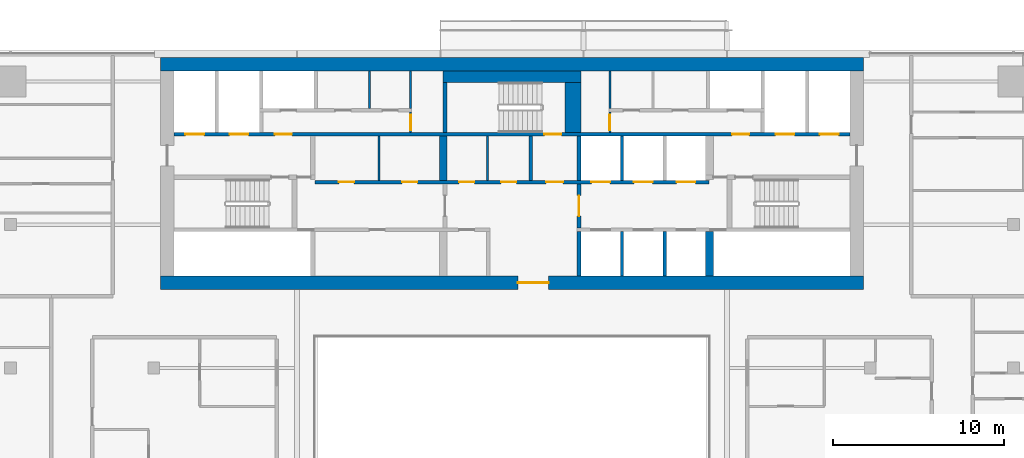
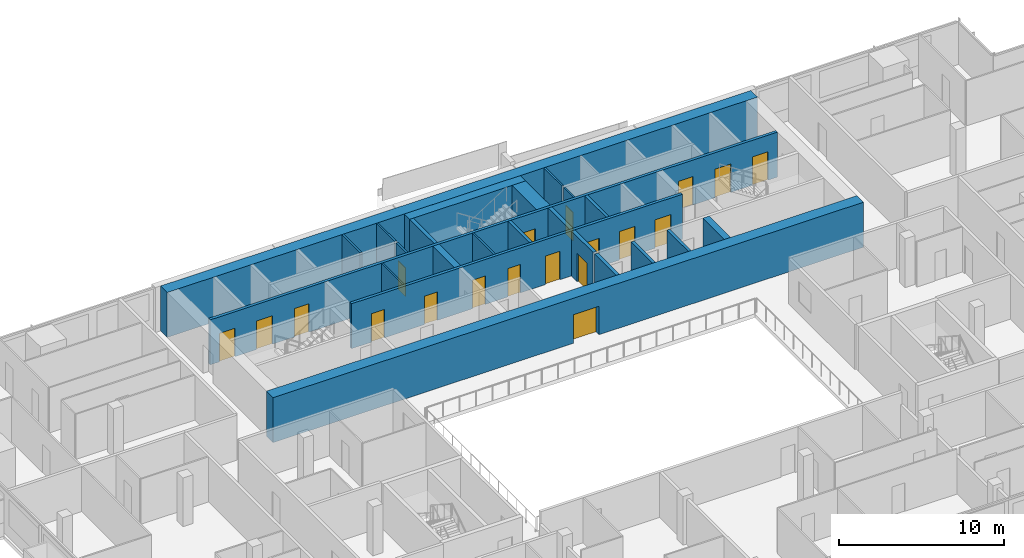
# One storey, part 22 of 28: 23 walls, 19 doors, 19 openings.
"""IFC4 building model written with IfcOpenShell, lengths in metres."""

from ifc_helpers import new_model, si_unit, direction, frame, frame_2d, origin, place, context, subcontext, project, spatial, rectangle, extrude, material, layer, layer_set, type_object, element, fill, save


model = new_model("IFC4")

# Units and contexts
model_context = context("Model", 3, precision=1e-05, world=origin(), true_north=direction((0.0, 1.0)))
body_context = subcontext(model_context, "Body", "Model", "MODEL_VIEW")
ifc_project = project(units=[si_unit("LENGTHUNIT", "METRE"), si_unit("AREAUNIT", "SQUARE_METRE"), si_unit("VOLUMEUNIT", "CUBIC_METRE"), si_unit("PLANEANGLEUNIT", "RADIAN"), si_unit("MASSUNIT", "GRAM", prefix="KILO")], contexts=[model_context])

# Site, building, storey
site_placement = place(None, origin())
site = spatial("IfcSite", under=ifc_project, at=site_placement, CompositionType="ELEMENT")
building_placement = place(site_placement, origin())
building = spatial("IfcBuilding", under=site, at=building_placement, Name="Saffron Gate Tower", CompositionType="ELEMENT")
storey_placement = place(building_placement, frame((0.0, 0.0, 151.050048828125)))
storey = spatial("IfcBuildingStorey", under=building, at=storey_placement, Name="L36", CompositionType="ELEMENT", Elevation=151.050048828125)

# Wall
ifc_material_1 = material(Name="Gypsum board partition on steel studs", Category="steel")
ifc_layer_1 = layer(ifc_material_1, 0.199951171875)
ifc_layer_set_1 = layer_set([ifc_layer_1], Name="CW10 Core partition 200")
wall_type_1 = type_object("IfcWallType", Name="CW10 Core partition 200", PredefinedType="PARTITIONING", material=ifc_layer_set_1)
wall_1_placement = place(storey_placement, frame((88.699951171875, 68.0, 0.0), z_axis=(0.0, 0.0, 1.0), x_axis=(0.0, 1.0, 0.0)))
element("IfcWall", 1, at=wall_1_placement, inside=storey, type_object=wall_type_1, Name="Wall CW10-L36-22", PredefinedType="PARTITIONING", context=body_context, shape_type="SweptSolid", body=[
    extrude(rectangle(XDim=2.60009765625, YDim=0.199951171875, at=frame_2d((1.300048828125, 0.0))), origin(), (0.0, 0.0, 1.0), 3.320068359375),
])

# Wall, opening, door
ifc_material_2 = material(Name="Concrete C60", Category="concrete")
ifc_layer_2 = layer(ifc_material_2, 0.800048828125)
ifc_layer_set_2 = layer_set([ifc_layer_2], Name="CW13 RC core wall 800 C60")
wall_type_2 = type_object("IfcWallType", Name="CW13 RC core wall 800 C60", PredefinedType="SOLIDWALL", material=ifc_layer_set_2)
wall_2_placement = place(storey_placement, frame((67.0, 62.0, 0.0), z_axis=(0.0, 0.0, 1.0), x_axis=(1.0, 0.0, 0.0)))
wall_2 = element("IfcWall", 2, at=wall_2_placement, inside=storey, type_object=wall_type_2, Name="Wall CW13-L36-1", PredefinedType="SOLIDWALL", context=body_context, shape_type="SweptSolid", body=[
    extrude(rectangle(XDim=41.199951171875, YDim=0.800048828125, at=frame_2d((20.60009765625, 0.0))), origin(), (0.0, 0.0, 1.0), 3.320068359375),
])
opening_1_placement = place(wall_2_placement, frame((20.949951171875, 0.0, 0.0)))
opening_1 = element("IfcOpeningElement", 3, at=opening_1_placement, cuts=wall_2, Name="Opening CR-09", PredefinedType="OPENING", context=body_context, shape_type="SweptSolid", body=[
    extrude(rectangle(XDim=1.800048828125, YDim=2.10009765625, at=frame_2d((0.89990234375, 1.050048828125))), frame((0.0, 0.41015625, 0.0), z_axis=(0.0, -1.0, 0.0), x_axis=(1.0, 0.0, 0.0)), (0.0, 0.0, 1.0), 0.820068359375),
])
ifc_material_3 = material(Name="Steel fire door set", Category="steel")
door_type_1 = type_object("IfcDoorType", Name="CD1 Core entrance door 1800x2100 EI 120", OperationType="NOTDEFINED", PredefinedType="DOOR", material=ifc_material_3)
door_1_placement = place(opening_1_placement, origin())
door_1 = element("IfcDoor", 4, at=door_1_placement, inside=storey, type_object=door_type_1, Name="DOOR CR-09", OperationType="DOUBLE_DOOR_SINGLE_SWING", OverallHeight=2.10009765625, OverallWidth=1.800048828125, PredefinedType="DOOR", context=body_context, shape_type="SweptSolid", body=[
    extrude(rectangle(XDim=1.800048828125, YDim=2.10009765625, at=frame_2d((0.89990234375, 1.050048828125))), frame((0.0, 0.02490234375, 0.0), z_axis=(0.0, -1.0, 0.0), x_axis=(1.0, 0.0, 0.0)), (0.0, 0.0, 1.0), 0.050048828125),
])
fill(opening_1, door_1)

# Walls
wall_3_placement = place(storey_placement, frame((67.0, 74.800048828125, 0.0), z_axis=(0.0, 0.0, 1.0), x_axis=(1.0, 0.0, 0.0)))
element("IfcWall", 5, at=wall_3_placement, inside=storey, type_object=wall_type_2, Name="Wall CW13-L36-2", PredefinedType="SOLIDWALL", context=body_context, shape_type="SweptSolid", body=[
    extrude(rectangle(XDim=41.199951171875, YDim=0.800048828125, at=frame_2d((20.60009765625, 0.0))), origin(), (0.0, 0.0, 1.0), 3.320068359375),
])
ifc_layer_3 = layer(ifc_material_2, 0.25)
ifc_layer_set_3 = layer_set([ifc_layer_3], Name="CW14 RC core wall 250 C60")
wall_type_3 = type_object("IfcWallType", Name="CW14 RC core wall 250 C60", PredefinedType="SOLIDWALL", material=ifc_layer_set_3)
wall_4_placement = place(storey_placement, frame((91.52490234375, 62.39990234375, 0.0), z_axis=(0.0, 0.0, 1.0), x_axis=(0.0, 1.0, 0.0)))
element("IfcWall", 6, at=wall_4_placement, inside=storey, type_object=wall_type_3, Name="Wall CW14-L36-8", PredefinedType="SOLIDWALL", context=body_context, shape_type="SweptSolid", body=[
    extrude(rectangle(XDim=2.60009765625, YDim=0.25, at=frame_2d((1.300048828125, 0.0))), origin(), (0.0, 0.0, 1.0), 3.320068359375),
])

# Wall, opening, door
wall_5_placement = place(storey_placement, frame((91.52490234375, 65.199951171875, 0.0), z_axis=(0.0, 0.0, 1.0), x_axis=(0.0, 1.0, 0.0)))
wall_5 = element("IfcWall", 7, at=wall_5_placement, inside=storey, type_object=wall_type_3, Name="Wall CW14-L36-16", PredefinedType="SOLIDWALL", context=body_context, shape_type="SweptSolid", body=[
    extrude(rectangle(XDim=2.60009765625, YDim=0.25, at=frame_2d((1.300048828125, 0.0))), origin(), (0.0, 0.0, 1.0), 3.320068359375),
])
opening_2_placement = place(wall_5_placement, frame((0.699951171875, 0.0, 0.0)))
opening_2 = element("IfcOpeningElement", 8, at=opening_2_placement, cuts=wall_5, Name="Opening CR-01", PredefinedType="OPENING", context=body_context, shape_type="SweptSolid", body=[
    extrude(rectangle(XDim=1.199951171875, YDim=2.10009765625, at=frame_2d((0.60009765625, 1.050048828125))), frame((0.0, 0.135009765625, 0.0), z_axis=(0.0, -1.0, 0.0), x_axis=(1.0, 0.0, 0.0)), (0.0, 0.0, 1.0), 0.27001953125),
])
door_type_2 = type_object("IfcDoorType", Name="CD3 Lobby door 1200x2100 EI 120", OperationType="NOTDEFINED", PredefinedType="DOOR", material=ifc_material_3)
door_2_placement = place(opening_2_placement, origin())
door_2 = element("IfcDoor", 9, at=door_2_placement, inside=storey, type_object=door_type_2, Name="DOOR CR-01", OperationType="SINGLE_SWING_RIGHT", OverallHeight=2.10009765625, OverallWidth=1.199951171875, PredefinedType="DOOR", context=body_context, shape_type="SweptSolid", body=[
    extrude(rectangle(XDim=1.199951171875, YDim=2.10009765625, at=frame_2d((0.60009765625, 1.050048828125))), frame((0.0, 0.02490234375, 0.0), z_axis=(0.0, -1.0, 0.0), x_axis=(1.0, 0.0, 0.0)), (0.0, 0.0, 1.0), 0.050048828125),
])
fill(opening_2, door_2)

# Walls
wall_6_placement = place(storey_placement, frame((91.52490234375, 68.0, 0.0), z_axis=(0.0, 0.0, 1.0), x_axis=(0.0, 1.0, 0.0)))
element("IfcWall", 10, at=wall_6_placement, inside=storey, type_object=wall_type_3, Name="Wall CW14-L36-23", PredefinedType="SOLIDWALL", context=body_context, shape_type="SweptSolid", body=[
    extrude(rectangle(XDim=2.60009765625, YDim=0.25, at=frame_2d((1.300048828125, 0.0))), origin(), (0.0, 0.0, 1.0), 3.320068359375),
])
wall_7_placement = place(storey_placement, frame((83.675048828125, 70.800048828125, 0.0), z_axis=(0.0, 0.0, 1.0), x_axis=(0.0, 1.0, 0.0)))
element("IfcWall", 11, at=wall_7_placement, inside=storey, type_object=wall_type_3, Name="Wall CW14-L36-35", PredefinedType="SOLIDWALL", context=body_context, shape_type="SweptSolid", body=[
    extrude(rectangle(XDim=2.949951171875, YDim=0.25, at=frame_2d((1.47509765625, 0.0))), origin(), (0.0, 0.0, 1.0), 3.320068359375),
])
ifc_layer_4 = layer(ifc_material_2, 0.199951171875)
ifc_layer_set_4 = layer_set([ifc_layer_4], Name="CW15 RC core wall 200 C60")
wall_type_4 = type_object("IfcWallType", Name="CW15 RC core wall 200 C60", PredefinedType="SOLIDWALL", material=ifc_layer_set_4)
for number, where, z_axis, x_axis, name in (
    (12, (94.050048828125, 62.39990234375, 0.0), (0.0, 0.0, 1.0), (0.0, 1.0, 0.0), "Wall CW15-L36-9"),
    (13, (96.550048828125, 62.39990234375, 0.0), (0.0, 0.0, 1.0), (0.0, 1.0, 0.0), "Wall CW15-L36-10"),
):
    element("IfcWall", number, at=place(storey_placement, frame(where, z_axis=z_axis, x_axis=x_axis)), inside=storey, type_object=wall_type_4, Name=name, PredefinedType="SOLIDWALL", context=body_context, shape_type="SweptSolid", body=[
        extrude(rectangle(XDim=2.60009765625, YDim=0.199951171875, at=frame_2d((1.300048828125, 0.0))), origin(), (0.0, 0.0, 1.0), 3.320068359375),
    ])

# Wall, openings, doors
wall_8_placement = place(storey_placement, frame((76.050048828125, 67.89990234375, 0.0), z_axis=(0.0, 0.0, 1.0), x_axis=(1.0, 0.0, 0.0)))
wall_8 = element("IfcWall", 14, at=wall_8_placement, inside=storey, type_object=wall_type_4, Name="Wall CW15-L36-18", PredefinedType="SOLIDWALL", context=body_context, shape_type="SweptSolid", body=[
    extrude(rectangle(XDim=23.099853515625, YDim=0.199951171875, at=frame_2d((11.5498046875, 0.0))), origin(), (0.0, 0.0, 1.0), 3.320068359375),
])
opening_3_placement = place(wall_8_placement, frame((1.39990234375, 0.0, 0.0)))
opening_3 = element("IfcOpeningElement", 15, at=opening_3_placement, cuts=wall_8, Name="Opening CR-61", PredefinedType="OPENING", context=body_context, shape_type="SweptSolid", body=[
    extrude(rectangle(XDim=0.89990234375, YDim=2.10009765625, at=frame_2d((0.449951171875, 1.050048828125))), frame((0.0, 0.10986328125, 0.0), z_axis=(0.0, -1.0, 0.0), x_axis=(1.0, 0.0, 0.0)), (0.0, 0.0, 1.0), 0.219970703125),
])
opening_4_placement = place(wall_8_placement, frame((5.110107421875, 0.0, 0.0)))
opening_4 = element("IfcOpeningElement", 16, at=opening_4_placement, cuts=wall_8, Name="Opening CR-62", PredefinedType="OPENING", context=body_context, shape_type="SweptSolid", body=[
    extrude(rectangle(XDim=0.89990234375, YDim=2.10009765625, at=frame_2d((0.449951171875, 1.050048828125))), frame((0.0, 0.10986328125, 0.0), z_axis=(0.0, -1.0, 0.0), x_axis=(1.0, 0.0, 0.0)), (0.0, 0.0, 1.0), 0.219970703125),
])
opening_5_placement = place(wall_8_placement, frame((8.449951171875, 0.0, 0.0)))
opening_5 = element("IfcOpeningElement", 17, at=opening_5_placement, cuts=wall_8, Name="Opening CR-67", PredefinedType="OPENING", context=body_context, shape_type="SweptSolid", body=[
    extrude(rectangle(XDim=0.89990234375, YDim=2.10009765625, at=frame_2d((0.449951171875, 1.050048828125))), frame((0.0, 0.10986328125, 0.0), z_axis=(0.0, -1.0, 0.0), x_axis=(1.0, 0.0, 0.0)), (0.0, 0.0, 1.0), 0.219970703125),
])
opening_6_placement = place(wall_8_placement, frame((10.909912109375, 0.0, 0.0)))
opening_6 = element("IfcOpeningElement", 18, at=opening_6_placement, cuts=wall_8, Name="Opening CR-68", PredefinedType="OPENING", context=body_context, shape_type="SweptSolid", body=[
    extrude(rectangle(XDim=0.89990234375, YDim=2.10009765625, at=frame_2d((0.449951171875, 1.050048828125))), frame((0.0, 0.10986328125, 0.0), z_axis=(0.0, -1.0, 0.0), x_axis=(1.0, 0.0, 0.0)), (0.0, 0.0, 1.0), 0.219970703125),
])
opening_7_placement = place(wall_8_placement, frame((13.550048828125, 0.0, 0.0)))
opening_7 = element("IfcOpeningElement", 19, at=opening_7_placement, cuts=wall_8, Name="Opening CR-02", PredefinedType="OPENING", context=body_context, shape_type="SweptSolid", body=[
    extrude(rectangle(XDim=1.0, YDim=2.10009765625, at=frame_2d((0.5, 1.050048828125))), frame((0.0, 0.10986328125, 0.0), z_axis=(0.0, -1.0, 0.0), x_axis=(1.0, 0.0, 0.0)), (0.0, 0.0, 1.0), 0.219970703125),
])
opening_8_placement = place(wall_8_placement, frame((16.199951171875, 0.0, 0.0)))
opening_8 = element("IfcOpeningElement", 20, at=opening_8_placement, cuts=wall_8, Name="Opening LD-HR4", PredefinedType="OPENING", context=body_context, shape_type="SweptSolid", body=[
    extrude(rectangle(XDim=1.10009765625, YDim=2.10009765625, at=frame_2d((0.550048828125, 1.050048828125))), frame((0.0, 0.10986328125, 0.0), z_axis=(0.0, -1.0, 0.0), x_axis=(1.0, 0.0, 0.0)), (0.0, 0.0, 1.0), 0.219970703125),
])
opening_9_placement = place(wall_8_placement, frame((18.699951171875, 0.0, 0.0)))
opening_9 = element("IfcOpeningElement", 21, at=opening_9_placement, cuts=wall_8, Name="Opening LD-HR5", PredefinedType="OPENING", context=body_context, shape_type="SweptSolid", body=[
    extrude(rectangle(XDim=1.10009765625, YDim=2.10009765625, at=frame_2d((0.550048828125, 1.050048828125))), frame((0.0, 0.10986328125, 0.0), z_axis=(0.0, -1.0, 0.0), x_axis=(1.0, 0.0, 0.0)), (0.0, 0.0, 1.0), 0.219970703125),
])
opening_10_placement = place(wall_8_placement, frame((21.199951171875, 0.0, 0.0)))
opening_10 = element("IfcOpeningElement", 22, at=opening_10_placement, cuts=wall_8, Name="Opening LD-HR6", PredefinedType="OPENING", context=body_context, shape_type="SweptSolid", body=[
    extrude(rectangle(XDim=1.10009765625, YDim=2.10009765625, at=frame_2d((0.550048828125, 1.050048828125))), frame((0.0, 0.10986328125, 0.0), z_axis=(0.0, -1.0, 0.0), x_axis=(1.0, 0.0, 0.0)), (0.0, 0.0, 1.0), 0.219970703125),
])
door_type_3 = type_object("IfcDoorType", Name="CD4 Lobby door 1000x2100 EI 120", OperationType="NOTDEFINED", PredefinedType="DOOR", material=ifc_material_3)
door_3_placement = place(opening_7_placement, origin())
door_3 = element("IfcDoor", 23, at=door_3_placement, inside=storey, type_object=door_type_3, Name="DOOR CR-02", OperationType="SINGLE_SWING_LEFT", OverallHeight=2.10009765625, OverallWidth=1.0, PredefinedType="DOOR", context=body_context, shape_type="SweptSolid", body=[
    extrude(rectangle(XDim=1.0, YDim=2.10009765625, at=frame_2d((0.5, 1.050048828125))), frame((0.0, 0.02490234375, 0.0), z_axis=(0.0, -1.0, 0.0), x_axis=(1.0, 0.0, 0.0)), (0.0, 0.0, 1.0), 0.050048828125),
])
fill(opening_7, door_3)
door_type_4 = type_object("IfcDoorType", Name="CD9 Room door 900x2100 EI 60", OperationType="NOTDEFINED", PredefinedType="DOOR", material=ifc_material_3)
door_4_placement = place(opening_3_placement, origin())
door_4 = element("IfcDoor", 24, at=door_4_placement, inside=storey, type_object=door_type_4, Name="DOOR CR-61", OperationType="SINGLE_SWING_LEFT", OverallHeight=2.10009765625, OverallWidth=0.89990234375, PredefinedType="DOOR", context=body_context, shape_type="SweptSolid", body=[
    extrude(rectangle(XDim=0.89990234375, YDim=2.10009765625, at=frame_2d((0.449951171875, 1.050048828125))), frame((0.0, 0.02490234375, 0.0), z_axis=(0.0, -1.0, 0.0), x_axis=(1.0, 0.0, 0.0)), (0.0, 0.0, 1.0), 0.050048828125),
])
fill(opening_3, door_4)
door_5_placement = place(opening_4_placement, origin())
door_5 = element("IfcDoor", 25, at=door_5_placement, inside=storey, type_object=door_type_4, Name="DOOR CR-62", OperationType="SINGLE_SWING_LEFT", OverallHeight=2.10009765625, OverallWidth=0.89990234375, PredefinedType="DOOR", context=body_context, shape_type="SweptSolid", body=[
    extrude(rectangle(XDim=0.89990234375, YDim=2.10009765625, at=frame_2d((0.449951171875, 1.050048828125))), frame((0.0, 0.02490234375, 0.0), z_axis=(0.0, -1.0, 0.0), x_axis=(1.0, 0.0, 0.0)), (0.0, 0.0, 1.0), 0.050048828125),
])
fill(opening_4, door_5)
door_6_placement = place(opening_5_placement, origin())
door_6 = element("IfcDoor", 26, at=door_6_placement, inside=storey, type_object=door_type_4, Name="DOOR CR-67", OperationType="SINGLE_SWING_LEFT", OverallHeight=2.10009765625, OverallWidth=0.89990234375, PredefinedType="DOOR", context=body_context, shape_type="SweptSolid", body=[
    extrude(rectangle(XDim=0.89990234375, YDim=2.10009765625, at=frame_2d((0.449951171875, 1.050048828125))), frame((0.0, 0.02490234375, 0.0), z_axis=(0.0, -1.0, 0.0), x_axis=(1.0, 0.0, 0.0)), (0.0, 0.0, 1.0), 0.050048828125),
])
fill(opening_5, door_6)
door_7_placement = place(opening_6_placement, origin())
door_7 = element("IfcDoor", 27, at=door_7_placement, inside=storey, type_object=door_type_4, Name="DOOR CR-68", OperationType="SINGLE_SWING_LEFT", OverallHeight=2.10009765625, OverallWidth=0.89990234375, PredefinedType="DOOR", context=body_context, shape_type="SweptSolid", body=[
    extrude(rectangle(XDim=0.89990234375, YDim=2.10009765625, at=frame_2d((0.449951171875, 1.050048828125))), frame((0.0, 0.02490234375, 0.0), z_axis=(0.0, -1.0, 0.0), x_axis=(1.0, 0.0, 0.0)), (0.0, 0.0, 1.0), 0.050048828125),
])
fill(opening_6, door_7)
ifc_material_4 = material(Name="Stainless steel landing door", Category="steel")
door_type_5 = type_object("IfcDoorType", Name="LD Lift landing door 1100x2100 EI 120", OperationType="SLIDING_TO_LEFT", PredefinedType="DOOR", material=ifc_material_4)
door_8_placement = place(opening_8_placement, origin())
door_8 = element("IfcDoor", 28, at=door_8_placement, inside=storey, type_object=door_type_5, Name="LANDING DOOR LD-HR4", OperationType="SLIDING_TO_RIGHT", OverallHeight=2.10009765625, OverallWidth=1.10009765625, PredefinedType="DOOR", context=body_context, shape_type="SweptSolid", body=[
    extrude(rectangle(XDim=1.10009765625, YDim=2.10009765625, at=frame_2d((0.550048828125, 1.050048828125))), frame((0.0, 0.02490234375, 0.0), z_axis=(0.0, -1.0, 0.0), x_axis=(1.0, 0.0, 0.0)), (0.0, 0.0, 1.0), 0.050048828125),
])
fill(opening_8, door_8)
door_9_placement = place(opening_9_placement, origin())
door_9 = element("IfcDoor", 29, at=door_9_placement, inside=storey, type_object=door_type_5, Name="LANDING DOOR LD-HR5", OperationType="SLIDING_TO_RIGHT", OverallHeight=2.10009765625, OverallWidth=1.10009765625, PredefinedType="DOOR", context=body_context, shape_type="SweptSolid", body=[
    extrude(rectangle(XDim=1.10009765625, YDim=2.10009765625, at=frame_2d((0.550048828125, 1.050048828125))), frame((0.0, 0.02490234375, 0.0), z_axis=(0.0, -1.0, 0.0), x_axis=(1.0, 0.0, 0.0)), (0.0, 0.0, 1.0), 0.050048828125),
])
fill(opening_9, door_9)
door_10_placement = place(opening_10_placement, origin())
door_10 = element("IfcDoor", 30, at=door_10_placement, inside=storey, type_object=door_type_5, Name="LANDING DOOR LD-HR6", OperationType="SLIDING_TO_RIGHT", OverallHeight=2.10009765625, OverallWidth=1.10009765625, PredefinedType="DOOR", context=body_context, shape_type="SweptSolid", body=[
    extrude(rectangle(XDim=1.10009765625, YDim=2.10009765625, at=frame_2d((0.550048828125, 1.050048828125))), frame((0.0, 0.02490234375, 0.0), z_axis=(0.0, -1.0, 0.0), x_axis=(1.0, 0.0, 0.0)), (0.0, 0.0, 1.0), 0.050048828125),
])
fill(opening_10, door_10)

# Wall
wall_9_placement = place(storey_placement, frame((94.050048828125, 68.0, 0.0), z_axis=(0.0, 0.0, 1.0), x_axis=(0.0, 1.0, 0.0)))
element("IfcWall", 31, at=wall_9_placement, inside=storey, type_object=wall_type_4, Name="Wall CW15-L36-24", PredefinedType="SOLIDWALL", context=body_context, shape_type="SweptSolid", body=[
    extrude(rectangle(XDim=2.60009765625, YDim=0.199951171875, at=frame_2d((1.300048828125, 0.0))), origin(), (0.0, 0.0, 1.0), 3.320068359375),
])

# Wall, openings, doors
wall_10_placement = place(storey_placement, frame((67.800048828125, 70.699951171875, 0.0), z_axis=(0.0, 0.0, 1.0), x_axis=(1.0, 0.0, 0.0)))
wall_10 = element("IfcWall", 32, at=wall_10_placement, inside=storey, type_object=wall_type_4, Name="Wall CW15-L36-31", PredefinedType="SOLIDWALL", context=body_context, shape_type="SweptSolid", body=[
    extrude(rectangle(XDim=39.599853515625, YDim=0.199951171875, at=frame_2d((19.7998046875, 0.0))), origin(), (0.0, 0.0, 1.0), 3.320068359375),
])
opening_11_placement = place(wall_10_placement, frame((0.64990234375, 0.0, 0.0)))
opening_11 = element("IfcOpeningElement", 33, at=opening_11_placement, cuts=wall_10, Name="Opening LD-FF1", PredefinedType="OPENING", context=body_context, shape_type="SweptSolid", body=[
    extrude(rectangle(XDim=1.10009765625, YDim=2.10009765625, at=frame_2d((0.550048828125, 1.050048828125))), frame((0.0, 0.10986328125, 0.0), z_axis=(0.0, -1.0, 0.0), x_axis=(1.0, 0.0, 0.0)), (0.0, 0.0, 1.0), 0.219970703125),
])
opening_12_placement = place(wall_10_placement, frame((3.25, 0.0, 0.0)))
opening_12 = element("IfcOpeningElement", 34, at=opening_12_placement, cuts=wall_10, Name="Opening LD-SV1", PredefinedType="OPENING", context=body_context, shape_type="SweptSolid", body=[
    extrude(rectangle(XDim=1.10009765625, YDim=2.10009765625, at=frame_2d((0.550048828125, 1.050048828125))), frame((0.0, 0.10986328125, 0.0), z_axis=(0.0, -1.0, 0.0), x_axis=(1.0, 0.0, 0.0)), (0.0, 0.0, 1.0), 0.219970703125),
])
opening_13_placement = place(wall_10_placement, frame((5.89990234375, 0.0, 0.0)))
opening_13 = element("IfcOpeningElement", 35, at=opening_13_placement, cuts=wall_10, Name="Opening CR-03", PredefinedType="OPENING", context=body_context, shape_type="SweptSolid", body=[
    extrude(rectangle(XDim=1.0, YDim=2.10009765625, at=frame_2d((0.5, 1.050048828125))), frame((0.0, 0.10986328125, 0.0), z_axis=(0.0, -1.0, 0.0), x_axis=(1.0, 0.0, 0.0)), (0.0, 0.0, 1.0), 0.219970703125),
])
opening_14_placement = place(wall_10_placement, frame((21.699951171875, 0.0, 0.0)))
opening_14 = element("IfcOpeningElement", 36, at=opening_14_placement, cuts=wall_10, Name="Opening CR-17", PredefinedType="OPENING", context=body_context, shape_type="SweptSolid", body=[
    extrude(rectangle(XDim=1.0, YDim=2.10009765625, at=frame_2d((0.5, 1.050048828125))), frame((0.0, 0.10986328125, 0.0), z_axis=(0.0, -1.0, 0.0), x_axis=(1.0, 0.0, 0.0)), (0.0, 0.0, 1.0), 0.219970703125),
])
opening_15_placement = place(wall_10_placement, frame((32.699951171875, 0.0, 0.0)))
opening_15 = element("IfcOpeningElement", 37, at=opening_15_placement, cuts=wall_10, Name="Opening CR-04", PredefinedType="OPENING", context=body_context, shape_type="SweptSolid", body=[
    extrude(rectangle(XDim=1.0, YDim=2.10009765625, at=frame_2d((0.5, 1.050048828125))), frame((0.0, 0.10986328125, 0.0), z_axis=(0.0, -1.0, 0.0), x_axis=(1.0, 0.0, 0.0)), (0.0, 0.0, 1.0), 0.219970703125),
])
opening_16_placement = place(wall_10_placement, frame((35.25, 0.0, 0.0)))
opening_16 = element("IfcOpeningElement", 38, at=opening_16_placement, cuts=wall_10, Name="Opening LD-SV2", PredefinedType="OPENING", context=body_context, shape_type="SweptSolid", body=[
    extrude(rectangle(XDim=1.10009765625, YDim=2.10009765625, at=frame_2d((0.550048828125, 1.050048828125))), frame((0.0, 0.10986328125, 0.0), z_axis=(0.0, -1.0, 0.0), x_axis=(1.0, 0.0, 0.0)), (0.0, 0.0, 1.0), 0.219970703125),
])
opening_17_placement = place(wall_10_placement, frame((37.85009765625, 0.0, 0.0)))
opening_17 = element("IfcOpeningElement", 39, at=opening_17_placement, cuts=wall_10, Name="Opening LD-FF2", PredefinedType="OPENING", context=body_context, shape_type="SweptSolid", body=[
    extrude(rectangle(XDim=1.10009765625, YDim=2.10009765625, at=frame_2d((0.550048828125, 1.050048828125))), frame((0.0, 0.10986328125, 0.0), z_axis=(0.0, -1.0, 0.0), x_axis=(1.0, 0.0, 0.0)), (0.0, 0.0, 1.0), 0.219970703125),
])
door_11_placement = place(opening_13_placement, origin())
door_11 = element("IfcDoor", 40, at=door_11_placement, inside=storey, type_object=door_type_3, Name="DOOR CR-03", OperationType="SINGLE_SWING_LEFT", OverallHeight=2.10009765625, OverallWidth=1.0, PredefinedType="DOOR", context=body_context, shape_type="SweptSolid", body=[
    extrude(rectangle(XDim=1.0, YDim=2.10009765625, at=frame_2d((0.5, 1.050048828125))), frame((0.0, 0.02490234375, 0.0), z_axis=(0.0, -1.0, 0.0), x_axis=(1.0, 0.0, 0.0)), (0.0, 0.0, 1.0), 0.050048828125),
])
fill(opening_13, door_11)
door_12_placement = place(opening_15_placement, origin())
door_12 = element("IfcDoor", 41, at=door_12_placement, inside=storey, type_object=door_type_3, Name="DOOR CR-04", OperationType="SINGLE_SWING_RIGHT", OverallHeight=2.10009765625, OverallWidth=1.0, PredefinedType="DOOR", context=body_context, shape_type="SweptSolid", body=[
    extrude(rectangle(XDim=1.0, YDim=2.10009765625, at=frame_2d((0.5, 1.050048828125))), frame((0.0, 0.02490234375, 0.0), z_axis=(0.0, -1.0, 0.0), x_axis=(1.0, 0.0, 0.0)), (0.0, 0.0, 1.0), 0.050048828125),
])
fill(opening_15, door_12)
door_type_6 = type_object("IfcDoorType", Name="CD5 Stair door 1000x2100 EI 120", OperationType="NOTDEFINED", PredefinedType="DOOR", material=ifc_material_3)
door_13_placement = place(opening_14_placement, origin())
door_13 = element("IfcDoor", 42, at=door_13_placement, inside=storey, type_object=door_type_6, Name="DOOR CR-17", OperationType="SINGLE_SWING_RIGHT", OverallHeight=2.10009765625, OverallWidth=1.0, PredefinedType="DOOR", context=body_context, shape_type="SweptSolid", body=[
    extrude(rectangle(XDim=1.0, YDim=2.10009765625, at=frame_2d((0.5, 1.050048828125))), frame((0.0, 0.02490234375, 0.0), z_axis=(0.0, -1.0, 0.0), x_axis=(1.0, 0.0, 0.0)), (0.0, 0.0, 1.0), 0.050048828125),
])
fill(opening_14, door_13)
door_14_placement = place(opening_11_placement, origin())
door_14 = element("IfcDoor", 43, at=door_14_placement, inside=storey, type_object=door_type_5, Name="LANDING DOOR LD-FF1", OperationType="SLIDING_TO_RIGHT", OverallHeight=2.10009765625, OverallWidth=1.10009765625, PredefinedType="DOOR", context=body_context, shape_type="SweptSolid", body=[
    extrude(rectangle(XDim=1.10009765625, YDim=2.10009765625, at=frame_2d((0.550048828125, 1.050048828125))), frame((0.0, 0.02490234375, 0.0), z_axis=(0.0, -1.0, 0.0), x_axis=(1.0, 0.0, 0.0)), (0.0, 0.0, 1.0), 0.050048828125),
])
fill(opening_11, door_14)
door_15_placement = place(opening_12_placement, origin())
door_15 = element("IfcDoor", 44, at=door_15_placement, inside=storey, type_object=door_type_5, Name="LANDING DOOR LD-SV1", OperationType="SLIDING_TO_RIGHT", OverallHeight=2.10009765625, OverallWidth=1.10009765625, PredefinedType="DOOR", context=body_context, shape_type="SweptSolid", body=[
    extrude(rectangle(XDim=1.10009765625, YDim=2.10009765625, at=frame_2d((0.550048828125, 1.050048828125))), frame((0.0, 0.02490234375, 0.0), z_axis=(0.0, -1.0, 0.0), x_axis=(1.0, 0.0, 0.0)), (0.0, 0.0, 1.0), 0.050048828125),
])
fill(opening_12, door_15)
door_16_placement = place(opening_16_placement, origin())
door_16 = element("IfcDoor", 45, at=door_16_placement, inside=storey, type_object=door_type_5, Name="LANDING DOOR LD-SV2", OperationType="SLIDING_TO_RIGHT", OverallHeight=2.10009765625, OverallWidth=1.10009765625, PredefinedType="DOOR", context=body_context, shape_type="SweptSolid", body=[
    extrude(rectangle(XDim=1.10009765625, YDim=2.10009765625, at=frame_2d((0.550048828125, 1.050048828125))), frame((0.0, 0.02490234375, 0.0), z_axis=(0.0, -1.0, 0.0), x_axis=(1.0, 0.0, 0.0)), (0.0, 0.0, 1.0), 0.050048828125),
])
fill(opening_16, door_16)
door_17_placement = place(opening_17_placement, origin())
door_17 = element("IfcDoor", 46, at=door_17_placement, inside=storey, type_object=door_type_5, Name="LANDING DOOR LD-FF2", OperationType="SLIDING_TO_RIGHT", OverallHeight=2.10009765625, OverallWidth=1.10009765625, PredefinedType="DOOR", context=body_context, shape_type="SweptSolid", body=[
    extrude(rectangle(XDim=1.10009765625, YDim=2.10009765625, at=frame_2d((0.550048828125, 1.050048828125))), frame((0.0, 0.02490234375, 0.0), z_axis=(0.0, -1.0, 0.0), x_axis=(1.0, 0.0, 0.0)), (0.0, 0.0, 1.0), 0.050048828125),
])
fill(opening_17, door_17)

# Walls
ifc_layer_5 = layer(ifc_material_2, 0.449951171875)
ifc_layer_set_5 = layer_set([ifc_layer_5], Name="CW16 RC core wall 450 C60")
wall_type_5 = type_object("IfcWallType", Name="CW16 RC core wall 450 C60", PredefinedType="SOLIDWALL", material=ifc_layer_set_5)
for number, where, z_axis, x_axis, name in (
    (47, (99.175048828125, 62.39990234375, 0.0), (0.0, 0.0, 1.0), (0.0, 1.0, 0.0), "Wall CW16-L36-11"),
    (48, (83.574951171875, 68.0, 0.0), (0.0, 0.0, 1.0), (0.0, 1.0, 0.0), "Wall CW16-L36-20"),
):
    element("IfcWall", number, at=place(storey_placement, frame(where, z_axis=z_axis, x_axis=x_axis)), inside=storey, type_object=wall_type_5, Name=name, PredefinedType="SOLIDWALL", context=body_context, shape_type="SweptSolid", body=[
        extrude(rectangle(XDim=2.60009765625, YDim=0.449951171875, at=frame_2d((1.300048828125, 0.0))), origin(), (0.0, 0.0, 1.0), 3.320068359375),
    ])
ifc_layer_6 = layer(ifc_material_2, 0.949951171875)
ifc_layer_set_6 = layer_set([ifc_layer_6], Name="CW19 RC core wall 950 C60")
wall_type_6 = type_object("IfcWallType", Name="CW19 RC core wall 950 C60", PredefinedType="SOLIDWALL", material=ifc_layer_set_6)
wall_11_placement = place(storey_placement, frame((91.175048828125, 70.800048828125, 0.0), z_axis=(0.0, 0.0, 1.0), x_axis=(0.0, 1.0, 0.0)))
element("IfcWall", 49, at=wall_11_placement, inside=storey, type_object=wall_type_6, Name="Wall CW19-L36-36", PredefinedType="SOLIDWALL", context=body_context, shape_type="SweptSolid", body=[
    extrude(rectangle(XDim=2.949951171875, YDim=0.949951171875, at=frame_2d((1.47509765625, 0.0))), origin(), (0.0, 0.0, 1.0), 3.320068359375),
])
ifc_layer_7 = layer(ifc_material_2, 0.64990234375)
ifc_layer_set_7 = layer_set([ifc_layer_7], Name="CW20 RC core wall 650 C60")
wall_type_7 = type_object("IfcWallType", Name="CW20 RC core wall 650 C60", PredefinedType="SOLIDWALL", material=ifc_layer_set_7)
wall_12_placement = place(storey_placement, frame((83.550048828125, 74.074951171875, 0.0), z_axis=(0.0, 0.0, 1.0), x_axis=(1.0, 0.0, 0.0)))
element("IfcWall", 50, at=wall_12_placement, inside=storey, type_object=wall_type_7, Name="Wall CW20-L36-50", PredefinedType="SOLIDWALL", context=body_context, shape_type="SweptSolid", body=[
    extrude(rectangle(XDim=8.099853515625, YDim=0.64990234375, at=frame_2d((4.0498046875, 0.0))), origin(), (0.0, 0.0, 1.0), 3.320068359375),
])
ifc_layer_8 = layer(ifc_material_1, 0.1201171875)
ifc_layer_set_8 = layer_set([ifc_layer_8], Name="CW8 Core partition 120")
wall_type_8 = type_object("IfcWallType", Name="CW8 Core partition 120", PredefinedType="PARTITIONING", material=ifc_layer_set_8)
for number, where, z_axis, x_axis, name in (
    (51, (79.81005859375, 68.0, 0.0), (0.0, 0.0, 1.0), (0.0, 1.0, 0.0), "Wall CW8-L36-19"),
    (52, (86.159912109375, 68.0, 0.0), (0.0, 0.0, 1.0), (0.0, 1.0, 0.0), "Wall CW8-L36-21"),
):
    element("IfcWall", number, at=place(storey_placement, frame(where, z_axis=z_axis, x_axis=x_axis)), inside=storey, type_object=wall_type_8, Name=name, PredefinedType="PARTITIONING", context=body_context, shape_type="SweptSolid", body=[
        extrude(rectangle(XDim=2.60009765625, YDim=0.1201171875, at=frame_2d((1.300048828125, 0.0))), origin(), (0.0, 0.0, 1.0), 3.320068359375),
    ])

# Wall, opening, door
wall_13_placement = place(storey_placement, frame((81.659912109375, 70.800048828125, 0.0), z_axis=(0.0, 0.0, 1.0), x_axis=(0.0, 1.0, 0.0)))
wall_13 = element("IfcWall", 53, at=wall_13_placement, inside=storey, type_object=wall_type_8, Name="Wall CW8-L36-34", PredefinedType="PARTITIONING", context=body_context, shape_type="SweptSolid", body=[
    extrude(rectangle(XDim=1.199951171875, YDim=0.1201171875, at=frame_2d((0.60009765625, 0.0))), origin(), (0.0, 0.0, 1.0), 3.320068359375),
])
opening_18_placement = place(wall_13_placement, frame((0.14990234375, 0.0, 0.0)))
opening_18 = element("IfcOpeningElement", 54, at=opening_18_placement, cuts=wall_13, Name="Opening CR-60", PredefinedType="OPENING", context=body_context, shape_type="SweptSolid", body=[
    extrude(rectangle(XDim=0.89990234375, YDim=2.10009765625, at=frame_2d((0.449951171875, 1.050048828125))), frame((0.0, 0.070068359375, 0.0), z_axis=(0.0, -1.0, 0.0), x_axis=(1.0, 0.0, 0.0)), (0.0, 0.0, 1.0), 0.14013671875),
])
door_18_placement = place(opening_18_placement, origin())
door_18 = element("IfcDoor", 55, at=door_18_placement, inside=storey, type_object=door_type_4, Name="DOOR CR-60", OperationType="SINGLE_SWING_RIGHT", OverallHeight=2.10009765625, OverallWidth=0.89990234375, PredefinedType="DOOR", context=body_context, shape_type="SweptSolid", body=[
    extrude(rectangle(XDim=0.89990234375, YDim=2.10009765625, at=frame_2d((0.449951171875, 1.050048828125))), frame((0.0, 0.02490234375, 0.0), z_axis=(0.0, -1.0, 0.0), x_axis=(1.0, 0.0, 0.0)), (0.0, 0.0, 1.0), 0.050048828125),
])
fill(opening_18, door_18)

wall_14_placement = place(storey_placement, frame((93.340087890625, 70.800048828125, 0.0), z_axis=(0.0, 0.0, 1.0), x_axis=(0.0, 1.0, 0.0)))
wall_14 = element("IfcWall", 56, at=wall_14_placement, inside=storey, type_object=wall_type_8, Name="Wall CW8-L36-37", PredefinedType="PARTITIONING", context=body_context, shape_type="SweptSolid", body=[
    extrude(rectangle(XDim=1.199951171875, YDim=0.1201171875, at=frame_2d((0.60009765625, 0.0))), origin(), (0.0, 0.0, 1.0), 3.320068359375),
])
opening_19_placement = place(wall_14_placement, frame((0.14990234375, 0.0, 0.0)))
opening_19 = element("IfcOpeningElement", 57, at=opening_19_placement, cuts=wall_14, Name="Opening CR-54", PredefinedType="OPENING", context=body_context, shape_type="SweptSolid", body=[
    extrude(rectangle(XDim=0.89990234375, YDim=2.10009765625, at=frame_2d((0.449951171875, 1.050048828125))), frame((0.0, 0.070068359375, 0.0), z_axis=(0.0, -1.0, 0.0), x_axis=(1.0, 0.0, 0.0)), (0.0, 0.0, 1.0), 0.14013671875),
])
door_19_placement = place(opening_19_placement, origin())
door_19 = element("IfcDoor", 58, at=door_19_placement, inside=storey, type_object=door_type_4, Name="DOOR CR-54", OperationType="SINGLE_SWING_LEFT", OverallHeight=2.10009765625, OverallWidth=0.89990234375, PredefinedType="DOOR", context=body_context, shape_type="SweptSolid", body=[
    extrude(rectangle(XDim=0.89990234375, YDim=2.10009765625, at=frame_2d((0.449951171875, 1.050048828125))), frame((0.0, 0.02490234375, 0.0), z_axis=(0.0, -1.0, 0.0), x_axis=(1.0, 0.0, 0.0)), (0.0, 0.0, 1.0), 0.050048828125),
])
fill(opening_19, door_19)

# Walls
for number, where, z_axis, x_axis, name in (
    (59, (79.260009765625, 72.199951171875, 0.0), (0.0, 0.0, 1.0), (0.0, 1.0, 0.0), "Wall CW8-L36-44"),
    (60, (81.659912109375, 72.199951171875, 0.0), (0.0, 0.0, 1.0), (0.0, 1.0, 0.0), "Wall CW8-L36-45"),
    (61, (93.340087890625, 72.199951171875, 0.0), (0.0, 0.0, 1.0), (0.0, 1.0, 0.0), "Wall CW8-L36-46"),
):
    element("IfcWall", number, at=place(storey_placement, frame(where, z_axis=z_axis, x_axis=x_axis)), inside=storey, type_object=wall_type_8, Name=name, PredefinedType="PARTITIONING", context=body_context, shape_type="SweptSolid", body=[
        extrude(rectangle(XDim=2.199951171875, YDim=0.1201171875, at=frame_2d((1.10009765625, 0.0))), origin(), (0.0, 0.0, 1.0), 3.320068359375),
    ])

save(model, "model.ifc")
